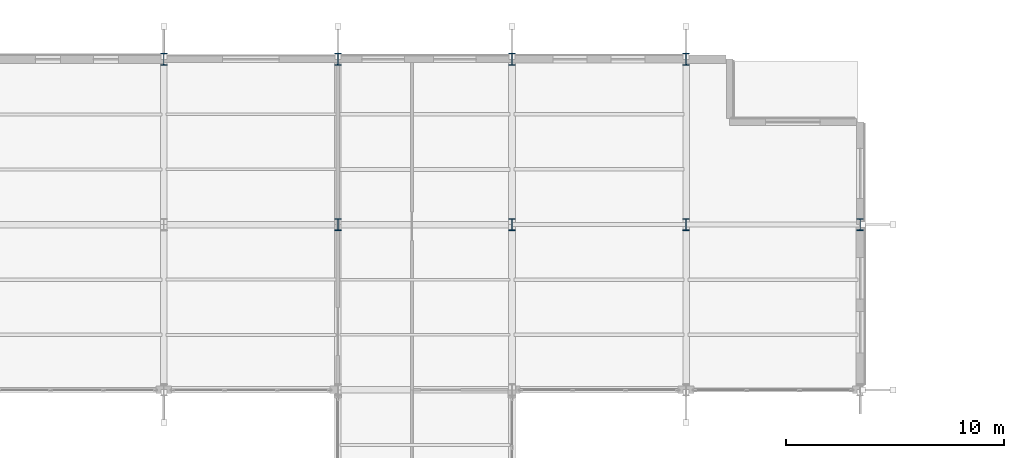
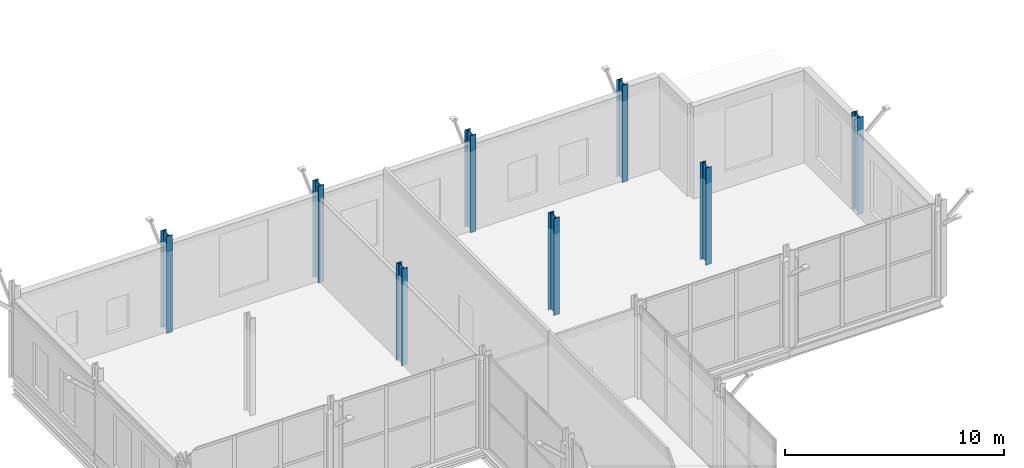
# One storey, part 23 of 147: 8 columns.
"""IFC4 building model written with IfcOpenShell, lengths in metres."""

from ifc_helpers import new_model, si_unit, direction, frame, origin, origin_2d, place, context, subcontext, project, spatial, i_section, extrude, material, material_profile, profile_set, type_object, element, save


model = new_model("IFC4")

# Units and contexts
model_context = context("Model", 3, precision=1e-05, world=origin(), true_north=direction((0.0, 1.0)))
body_context = subcontext(model_context, "Body", "Model", "MODEL_VIEW")
ifc_project = project(units=[si_unit("LENGTHUNIT", "METRE"), si_unit("AREAUNIT", "SQUARE_METRE"), si_unit("VOLUMEUNIT", "CUBIC_METRE"), si_unit("PLANEANGLEUNIT", "RADIAN"), si_unit("MASSUNIT", "GRAM", prefix="KILO")], contexts=[model_context])

# Site, building, storey
site_placement = place(None, origin())
site = spatial("IfcSite", under=ifc_project, at=site_placement, CompositionType="ELEMENT")
building_placement = place(site_placement, origin())
building = spatial("IfcBuilding", under=site, at=building_placement, Name="Vekula Escarpment Museum", CompositionType="ELEMENT")
storey_placement = place(building_placement, frame((0.0, 0.0, 7.800048828125)))
storey = spatial("IfcBuildingStorey", under=building, at=storey_placement, Name="L02", CompositionType="ELEMENT", Elevation=7.800048828125)

# Columns
ifc_material = material(Name="Steel S355", Category="steel")
ifc_material_profile = material_profile(ifc_material, i_section(OverallWidth=0.300048828125, OverallDepth=0.550048828125, WebThickness=0.014892578125, FlangeThickness=0.029052734375, FilletRadius=0.027099609375, at=origin_2d()), Name="HEB 550")
ifc_profile_set = profile_set([ifc_material_profile], Name="Steel S355")
column_type = type_object("IfcColumnType", Name="COL-S-HEB550", PredefinedType="COLUMN", material=ifc_profile_set)
for number, where, z_axis, x_axis, name in (
    (1, (86.0, 136.0, 0.0), (0.0, 0.0, 1.0), (1.0, 0.0, 0.0), "Column L02 (86.0,136.0)"),
    (2, (94.0, 128.39990234375, 0.0), (0.0, 0.0, 1.0), (1.0, 0.0, 0.0), "Column L02 (94.0,128.4)"),
    (3, (94.0, 136.0, 0.0), (0.0, 0.0, 1.0), (1.0, 0.0, 0.0), "Column L02 (94.0,136.0)"),
    (4, (102.0, 128.39990234375, 0.0), (0.0, 0.0, 1.0), (1.0, 0.0, 0.0), "Column L02 (102.0,128.4)"),
    (5, (102.0, 136.0, 0.0), (0.0, 0.0, 1.0), (1.0, 0.0, 0.0), "Column L02 (102.0,136.0)"),
    (6, (110.0, 128.39990234375, 0.0), (0.0, 0.0, 1.0), (1.0, 0.0, 0.0), "Column L02 (110.0,128.4)"),
    (7, (110.0, 136.0, 0.0), (0.0, 0.0, 1.0), (1.0, 0.0, 0.0), "Column L02 (110.0,136.0)"),
    (8, (118.0, 128.39990234375, 0.0), (0.0, 0.0, 1.0), (1.0, 0.0, 0.0), "Column L02 (118.0,128.4)"),
):
    element("IfcColumn", number, at=place(storey_placement, frame(where, z_axis=z_axis, x_axis=x_axis)), inside=storey, type_object=column_type, Name=name, PredefinedType="COLUMN", context=body_context, shape_type="SweptSolid", body=[
        extrude(i_section(OverallWidth=0.300048828125, OverallDepth=0.550048828125, WebThickness=0.014892578125, FlangeThickness=0.029052734375, FilletRadius=0.027099609375, at=origin_2d()), origin(), (0.0, 0.0, 1.0), 5.39990234375),
    ])

save(model, "model.ifc")
